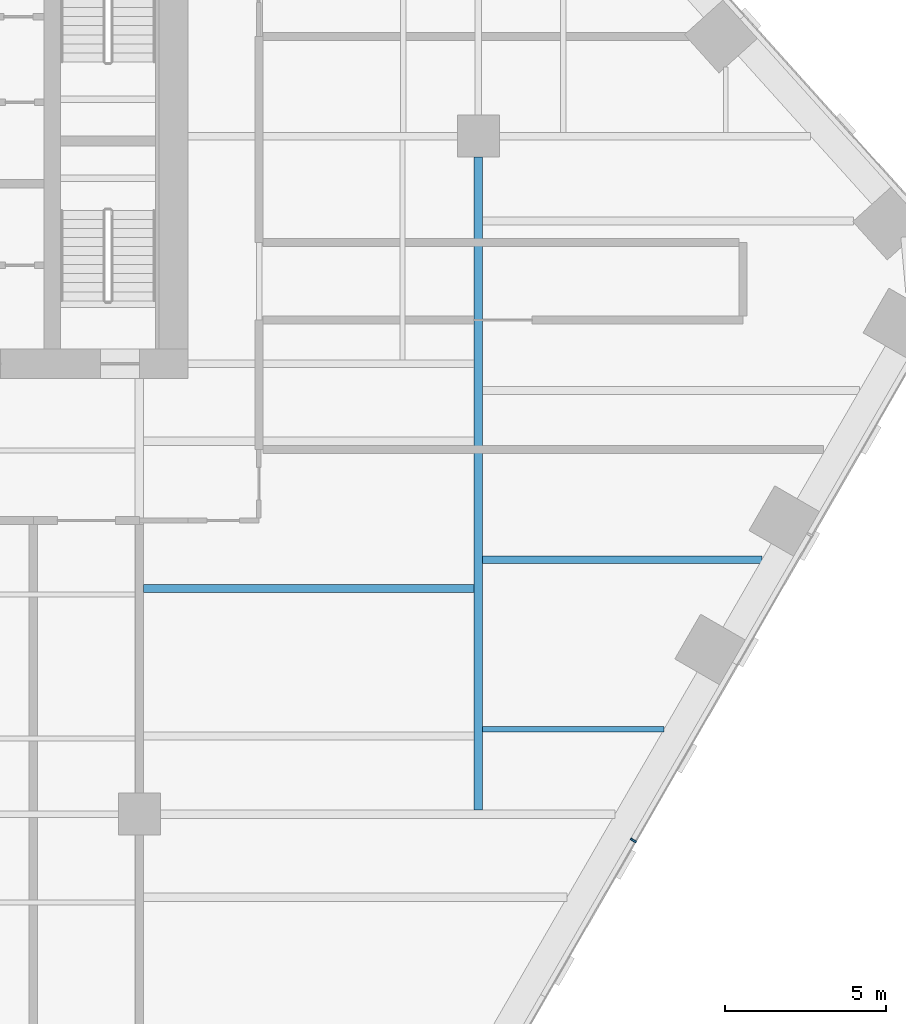
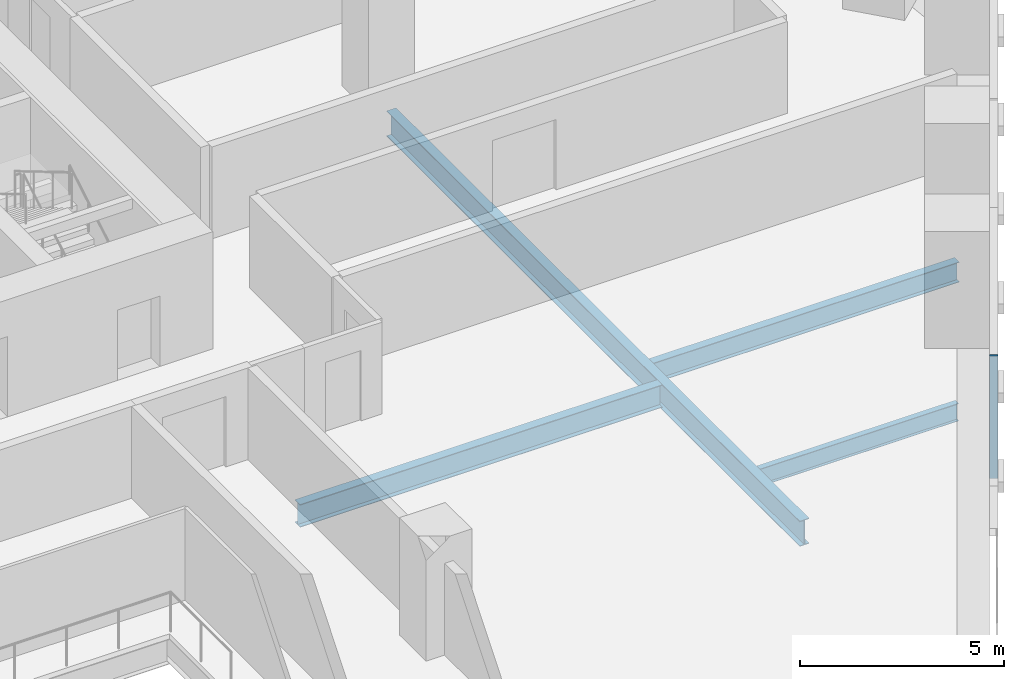
# One storey, part 7 of 21: 4 beams, 1 member, 1 element without a shape of its own.
"""IFC4 building model written with IfcOpenShell, lengths in metres."""

import ifcopenshell
import ifcopenshell.guid

model = None  # the IFC model being written
_history = None  # IfcOwnerHistory: only IFC2X3 demands one
_inside = {}  # id of a spatial element -> (the spatial element, [elements in it])
_under = {}  # id of a project, library or spatial element -> (it, [spatial elements below it])
_declared = {}  # id of a project -> (the project, [libraries it declares])
_typed = {}  # id of a type object -> (the type object, [elements of that type])
_made_of = {}  # id of a material, layer set ... -> (it, [elements and type objects made of it])


def new_model(schema):
    """Start an empty IFC model of exactly this schema.

    Asked for "IFC4X3", IfcOpenShell would pick the latest addendum, in which some entities
    have other attributes; the version numbers below select the first issue.
    IFC2X3 requires an IfcOwnerHistory on every rooted entity: one is made here for all.
    """
    global model, _history
    if schema == "IFC4X3":
        model = ifcopenshell.file(schema_version=(4, 3, 0, 0))
    else:
        model = ifcopenshell.file(schema=schema)
    _inside.clear()
    _under.clear()
    _declared.clear()
    _typed.clear()
    _made_of.clear()
    _history = None
    if model.schema == "IFC2X3":
        org = make("IfcOrganization", Name="unknown")
        user = make(
            "IfcPersonAndOrganization",
            ThePerson=make("IfcPerson", FamilyName="unknown"),
            TheOrganization=org,
        )
        app = make(
            "IfcApplication",
            ApplicationDeveloper=org,
            Version="unknown",
            ApplicationFullName="unknown",
            ApplicationIdentifier="unknown",
        )
        _history = make(
            "IfcOwnerHistory",
            OwningUser=user,
            OwningApplication=app,
            ChangeAction="ADDED",
            CreationDate=0,
        )
    return model


def make(cls, **values):
    """One entity of the class cls with the attributes given. An attribute that is None is left unset."""
    return model.create_entity(
        cls, **{name: value for name, value in values.items() if value is not None}
    )


def rooted(cls, **values):
    """An entity with a GlobalId (a new one), such as an element, a storey or a relation."""
    return make(cls, GlobalId=ifcopenshell.guid.new(), OwnerHistory=_history, **values)


def si_unit(unit_type, name, prefix=None):
    """IfcSIUnit, for example si_unit("LENGTHUNIT", "METRE", prefix="MILLI")."""
    return make("IfcSIUnit", UnitType=unit_type, Prefix=prefix, Name=name)


def assignment(units):
    """IfcUnitAssignment: the units of a project."""
    return None if units is None else make("IfcUnitAssignment", Units=units)


def point(xyz):
    """IfcCartesianPoint."""
    return None if xyz is None else make("IfcCartesianPoint", Coordinates=xyz)


def direction(xyz):
    """IfcDirection."""
    return None if xyz is None else make("IfcDirection", DirectionRatios=xyz)


def frame(location, z_axis=None, x_axis=None):
    """IfcAxis2Placement3D, a coordinate frame: its origin and axes. An axis left out is left unset."""
    return make(
        "IfcAxis2Placement3D",
        Location=point(location),
        Axis=direction(z_axis),
        RefDirection=direction(x_axis),
    )


def frame_2d(location, x_axis=None):
    """IfcAxis2Placement2D, a coordinate frame in the plane: its origin and x axis."""
    return make(
        "IfcAxis2Placement2D", Location=point(location), RefDirection=direction(x_axis)
    )


def origin():
    """The frame at (0, 0, 0) with its axes left unset."""
    return frame((0.0, 0.0, 0.0))


def origin_2d():
    """The frame at (0, 0) in the plane with its x axis left unset."""
    return frame_2d((0.0, 0.0))


def place(relative_to, where):
    """IfcLocalPlacement: puts the frame where relative to a parent placement (None: the world)."""
    return make(
        "IfcLocalPlacement", PlacementRelTo=relative_to, RelativePlacement=where
    )


def context(
    kind, dimensions, precision=None, world=None, true_north=None, identifier=None
):
    """IfcGeometricRepresentationContext, for example the 3D "Model" context."""
    return make(
        "IfcGeometricRepresentationContext",
        ContextIdentifier=identifier,
        ContextType=kind,
        CoordinateSpaceDimension=dimensions,
        Precision=precision,
        WorldCoordinateSystem=world,
        TrueNorth=true_north,
    )


def subcontext(parent, identifier, kind, view, scale=None):
    """IfcGeometricRepresentationSubContext, for example "Body" below "Model"."""
    return make(
        "IfcGeometricRepresentationSubContext",
        ContextIdentifier=identifier,
        ContextType=kind,
        ParentContext=parent,
        TargetScale=scale,
        TargetView=view,
    )


def project(units=None, contexts=None):
    """IfcProject with its units and contexts."""
    return rooted(
        "IfcProject",
        Name="project",
        RepresentationContexts=contexts,
        UnitsInContext=assignment(units),
    )


def spatial(cls, under=None, at=None, **own):
    """A site, building, storey or space (cls), placed at a placement, below another one or the project."""
    s = rooted(cls, ObjectPlacement=at, **own)
    if under is not None:
        _under.setdefault(under.id(), (under, []))[1].append(s)
    return s


def profile(cls, at=None, kind="AREA", **sizes):
    """A parametric profile (cls). Its sizes go by their IFC names, for example OverallWidth=200.0."""
    return make(cls, ProfileType=kind, Position=at, **sizes)


def rectangle(**sizes):
    """IfcRectangleProfileDef."""
    return profile("IfcRectangleProfileDef", **sizes)


def i_section(**sizes):
    """IfcIShapeProfileDef."""
    return profile("IfcIShapeProfileDef", **sizes)


def extrude(swept, where, along, depth):
    """IfcExtrudedAreaSolid: the profile swept, set in the frame where, extruded along a direction by depth."""
    return make(
        "IfcExtrudedAreaSolid",
        SweptArea=swept,
        Position=where,
        ExtrudedDirection=direction(along),
        Depth=depth,
    )


def shape(context_of_items, identifier, shape_type, items):
    """IfcShapeRepresentation: the items that make up one representation, for example the "Body"."""
    return make(
        "IfcShapeRepresentation",
        ContextOfItems=context_of_items,
        RepresentationIdentifier=identifier,
        RepresentationType=shape_type,
        Items=items,
    )


def material(Name=None, Category=None):
    """IfcMaterial."""
    return make("IfcMaterial", Name=Name, Category=Category)


def layer(
    of_material, thickness, ventilated=None, Name=None, Category=None, Priority=None
):
    """IfcMaterialLayer: one layer of a wall or slab, of a material (None: an air gap)."""
    return make(
        "IfcMaterialLayer",
        Material=of_material,
        LayerThickness=thickness,
        IsVentilated=ventilated,
        Name=Name,
        Category=Category,
        Priority=Priority,
    )


def layer_set(layers, Name=None):
    """IfcMaterialLayerSet."""
    return make("IfcMaterialLayerSet", MaterialLayers=layers, LayerSetName=Name)


def material_profile(
    of_material, cross_section, Name=None, Category=None, Priority=None
):
    """IfcMaterialProfile: a cross section and its material."""
    return make(
        "IfcMaterialProfile",
        Name=Name,
        Material=of_material,
        Profile=cross_section,
        Priority=Priority,
        Category=Category,
    )


def profile_set(profiles, Name=None, composite=None):
    """IfcMaterialProfileSet."""
    return make(
        "IfcMaterialProfileSet",
        Name=Name,
        MaterialProfiles=profiles,
        CompositeProfile=composite,
    )


def made_of(thing, what):
    """Note that an element or type object is made of a material, layer set ...; save() writes the relation."""
    if what is not None:
        _made_of.setdefault(what.id(), (what, []))[1].append(thing)
    return thing


def type_object(cls, material=None, **own):
    """A type object (cls), such as IfcWallType, which elements share."""
    return made_of(rooted(cls, **own), material)


def element(
    cls,
    number,
    at=None,
    inside=None,
    cuts=None,
    type_object=None,
    material=None,
    context=None,
    identifier="Body",
    shape_type=None,
    held_by="IfcProductDefinitionShape",
    body=None,
    shapes=None,
    **own,
):
    """One element of the class cls, such as IfcWall. Its Tag is "e" and its number.

    at: its placement. inside: the storey or other place that contains it. cuts: it is an
    opening in that element (IfcRelVoidsElement). A single representation is given by context,
    identifier, shape_type and body (its items); several are given by shapes. held_by: the class
    of the entity that holds the representations. save() writes the other relations.
    """
    e = rooted(cls, Tag="e%d" % number, ObjectPlacement=at, **own)
    if body is not None:
        shapes = [shape(context, identifier, shape_type, body)]
    if shapes is not None:
        e.Representation = make(held_by, Representations=shapes)
    if inside is not None:
        _inside.setdefault(inside.id(), (inside, []))[1].append(e)
    if cuts is not None:
        rooted(
            "IfcRelVoidsElement", RelatingBuildingElement=cuts, RelatedOpeningElement=e
        )
    if type_object is not None:
        _typed.setdefault(type_object.id(), (type_object, []))[1].append(e)
    return made_of(e, material)


def aggregate(whole, parts):
    """IfcRelAggregates: a whole, such as a stair, and the parts it consists of."""
    return rooted("IfcRelAggregates", RelatingObject=whole, RelatedObjects=parts)


def save(model, path):
    """Write the relations noted so far, then the file.

    IfcRelAggregates (storeys below a building ...), IfcRelContainedInSpatialStructure (elements
    in a storey), IfcRelDefinesByType, IfcRelAssociatesMaterial and IfcRelDeclares: one each for
    every whole, place, type object, material and project.
    """
    for whole, parts in _under.values():
        aggregate(whole, parts)
    for where, things in _inside.values():
        rooted(
            "IfcRelContainedInSpatialStructure",
            RelatedElements=things,
            RelatingStructure=where,
        )
    for kind, things in _typed.values():
        rooted("IfcRelDefinesByType", RelatedObjects=things, RelatingType=kind)
    for what, things in _made_of.values():
        rooted("IfcRelAssociatesMaterial", RelatedObjects=things, RelatingMaterial=what)
    for by, libraries in _declared.values():
        rooted("IfcRelDeclares", RelatingContext=by, RelatedDefinitions=libraries)
    model.write(path)


model = new_model("IFC4")

# Units and contexts
model_context = context("Model", 3, precision=1e-05, world=origin(), true_north=direction((0.0, 1.0)))
body_context = subcontext(model_context, "Body", "Model", "MODEL_VIEW")
ifc_project = project(units=[si_unit("LENGTHUNIT", "METRE"), si_unit("AREAUNIT", "SQUARE_METRE"), si_unit("VOLUMEUNIT", "CUBIC_METRE"), si_unit("PLANEANGLEUNIT", "RADIAN"), si_unit("MASSUNIT", "GRAM", prefix="KILO")], contexts=[model_context])

# Site, building, storey
site_placement = place(None, origin())
site = spatial("IfcSite", under=ifc_project, at=site_placement, CompositionType="ELEMENT")
building_placement = place(site_placement, origin())
building = spatial("IfcBuilding", under=site, at=building_placement, Name="Isthmus Gate Tower", CompositionType="ELEMENT")
storey_placement = place(building_placement, frame((0.0, 0.0, 109.85009765625)))
storey = spatial("IfcBuildingStorey", under=building, at=storey_placement, Name="L26", CompositionType="ELEMENT", Elevation=109.85009765625)

# Curtain wall, member
ifc_material_1 = material(Name="Aluminium, pale champagne anodised", Category="aluminium")
ifc_layer = layer(ifc_material_1, 0.199951171875)
ifc_layer_set = layer_set([ifc_layer], Name="CW-1 UNITISED CURTAIN WALL 200 DEEP")
curtain_wall_type = type_object("IfcCurtainWallType", Name="CW-1 UNITISED CURTAIN WALL 200 DEEP", PredefinedType="NOTDEFINED", material=ifc_layer_set)
curtain_wall_placement = place(storey_placement, origin())
curtain_wall = element("IfcCurtainWall", 1, at=curtain_wall_placement, inside=storey, type_object=curtain_wall_type, Name="CW-1 SE L26", PredefinedType="NOTDEFINED")
ifc_material_2 = material(Name="Aluminium, pale champagne anodised", Category="aluminium")
ifc_material_profile_1 = material_profile(ifc_material_2, rectangle(XDim=0.06005859375, YDim=0.199951171875, at=origin_2d()), Name="60x200")
ifc_profile_set_1 = profile_set([ifc_material_profile_1], Name="Aluminium, pale champagne anodised")
member_type = type_object("IfcMemberType", Name="CW-1 MULLION 60 X 200", PredefinedType="MULLION", material=ifc_profile_set_1)
member_placement = place(storey_placement, frame((28.802001953125, -14.3134765625, 0.0), z_axis=(0.0, 0.0, 1.0), x_axis=(0.5, 0.866025403784, 0.0)))
member = element("IfcMember", 2, at=member_placement, type_object=member_type, Name="CW-1 mullion", PredefinedType="MULLION", context=body_context, shape_type="SweptSolid", body=[
    extrude(rectangle(XDim=0.06005859375, YDim=0.199951171875, at=origin_2d()), origin(), (0.0, 0.0, 1.0), 3.64990234375),
])
aggregate(curtain_wall, [member])

# Beams
ifc_material_3 = material(Name="Structural steel ASTM A992 Gr 50", Category="steel")
ifc_material_profile_2 = material_profile(ifc_material_3, i_section(OverallWidth=0.1650390625, OverallDepth=0.52392578125, WebThickness=0.009521484375, FlangeThickness=0.010986328125, at=origin_2d()), Name="W21X44")
ifc_profile_set_2 = profile_set([ifc_material_profile_2], Name="Structural steel ASTM A992 Gr 50")
beam_type_1 = type_object("IfcBeamType", Name="STEEL FLOOR BEAM W21X44", PredefinedType="JOIST", material=ifc_profile_set_2)
beam_1_placement = place(storey_placement, frame((24.13330078125, -10.875, -0.412109375), z_axis=(1.0, 0.0, 0.0), x_axis=(0.0, 1.0, 0.0)))
element("IfcBeam", 3, at=beam_1_placement, inside=storey, type_object=beam_type_1, Name="str-beam-L26-34-00", PredefinedType="JOIST", context=body_context, shape_type="SweptSolid", body=[
    extrude(i_section(OverallWidth=0.1650390625, OverallDepth=0.52392578125, WebThickness=0.009521484375, FlangeThickness=0.010986328125, at=origin_2d()), origin(), (0.0, 0.0, 1.0), 5.61474609375),
])
ifc_material_4 = material(Name="Structural steel ASTM A992 Gr 50", Category="steel")
ifc_material_profile_3 = material_profile(ifc_material_4, i_section(OverallWidth=0.228515625, OverallDepth=0.603271484375, WebThickness=0.010986328125, FlangeThickness=0.014404296875, at=origin_2d()), Name="W24X68")
ifc_profile_set_3 = profile_set([ifc_material_profile_3], Name="Structural steel ASTM A992 Gr 50")
beam_type_2 = type_object("IfcBeamType", Name="STEEL FLOOR BEAM W24X68", PredefinedType="JOIST", material=ifc_profile_set_3)
beam_2_placement = place(storey_placement, frame((24.13330078125, -5.625, -0.45166015625), z_axis=(1.0, 0.0, 0.0), x_axis=(0.0, 1.0, 0.0)))
element("IfcBeam", 4, at=beam_2_placement, inside=storey, type_object=beam_type_2, Name="str-beam-L26-34-01", PredefinedType="JOIST", context=body_context, shape_type="SweptSolid", body=[
    extrude(i_section(OverallWidth=0.228515625, OverallDepth=0.603271484375, WebThickness=0.010986328125, FlangeThickness=0.014404296875, at=origin_2d()), origin(), (0.0, 0.0, 1.0), 8.645751953125),
])
ifc_material_5 = material(Name="Structural steel ASTM A992 Gr 50", Category="steel")
ifc_material_profile_4 = material_profile(ifc_material_5, i_section(OverallWidth=0.25390625, OverallDepth=0.679443359375, WebThickness=0.010986328125, FlangeThickness=0.015869140625, at=origin_2d()), Name="W27X84")
ifc_profile_set_4 = profile_set([ifc_material_profile_4], Name="Structural steel ASTM A992 Gr 50")
beam_type_3 = type_object("IfcBeamType", Name="STEEL FLOOR BEAM W27X84", PredefinedType="JOIST", material=ifc_profile_set_4)
beam_3_placement = place(storey_placement, frame((13.6318359375, -6.515380859375, -0.48974609375), z_axis=(1.0, 0.0, 0.0), x_axis=(0.0, 1.0, 0.0)))
element("IfcBeam", 5, at=beam_3_placement, inside=storey, type_object=beam_type_3, Name="str-beam-L26-27-01", PredefinedType="JOIST", context=body_context, shape_type="SweptSolid", body=[
    extrude(i_section(OverallWidth=0.25390625, OverallDepth=0.679443359375, WebThickness=0.010986328125, FlangeThickness=0.015869140625, at=origin_2d()), origin(), (0.0, 0.0, 1.0), 10.23486328125),
])
ifc_material_6 = material(Name="Structural steel ASTM A992 Gr 50", Category="steel")
ifc_material_profile_5 = material_profile(ifc_material_6, i_section(OverallWidth=0.2666015625, OverallDepth=0.7587890625, WebThickness=0.014404296875, FlangeThickness=0.01904296875, at=origin_2d()), Name="W30X108")
ifc_profile_set_5 = profile_set([ifc_material_profile_5], Name="Structural steel ASTM A992 Gr 50")
beam_type_4 = type_object("IfcBeamType", Name="STEEL GIRDER W30X108", PredefinedType="BEAM", material=ifc_profile_set_5)
beam_4_placement = place(storey_placement, frame((24.0, -13.36669921875, -0.529541015625), z_axis=(0.0, 1.0, 0.0), x_axis=(-1.0, 0.0, 0.0)))
element("IfcBeam", 6, at=beam_4_placement, inside=storey, type_object=beam_type_4, Name="str-girder-L26-36", PredefinedType="BEAM", context=body_context, shape_type="SweptSolid", body=[
    extrude(i_section(OverallWidth=0.2666015625, OverallDepth=0.7587890625, WebThickness=0.014404296875, FlangeThickness=0.01904296875, at=origin_2d()), origin(), (0.0, 0.0, 1.0), 20.216796875),
])

save(model, "model.ifc")
